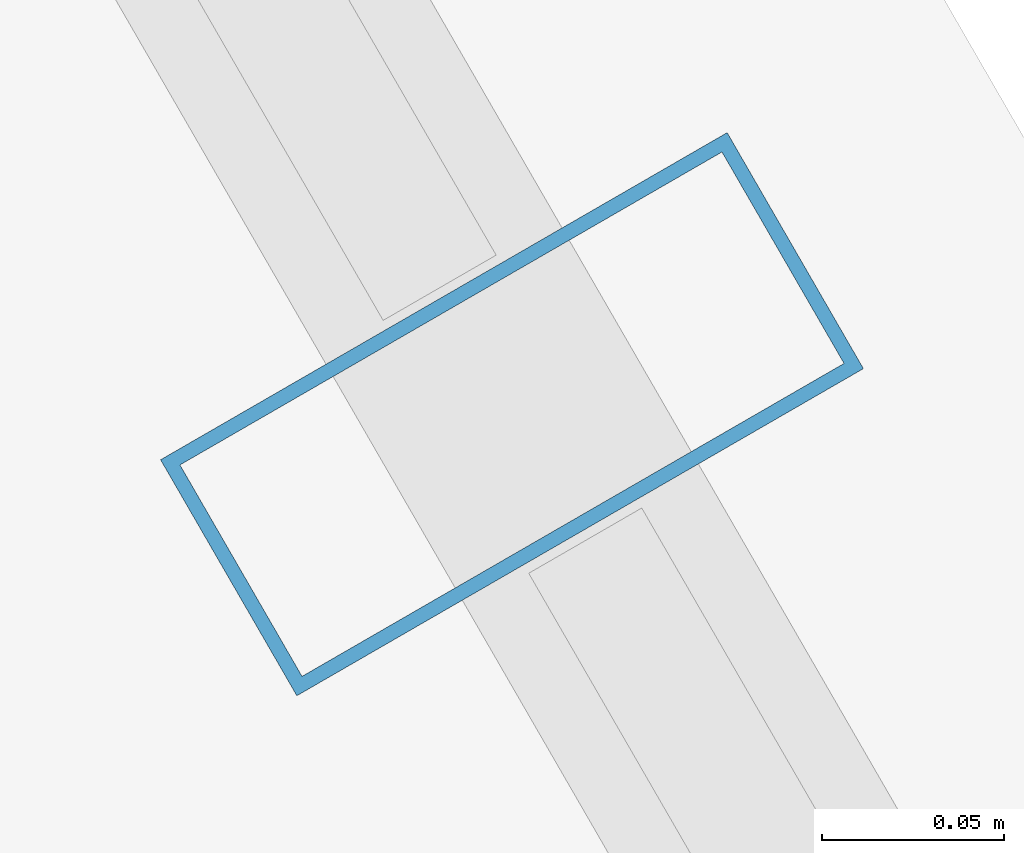
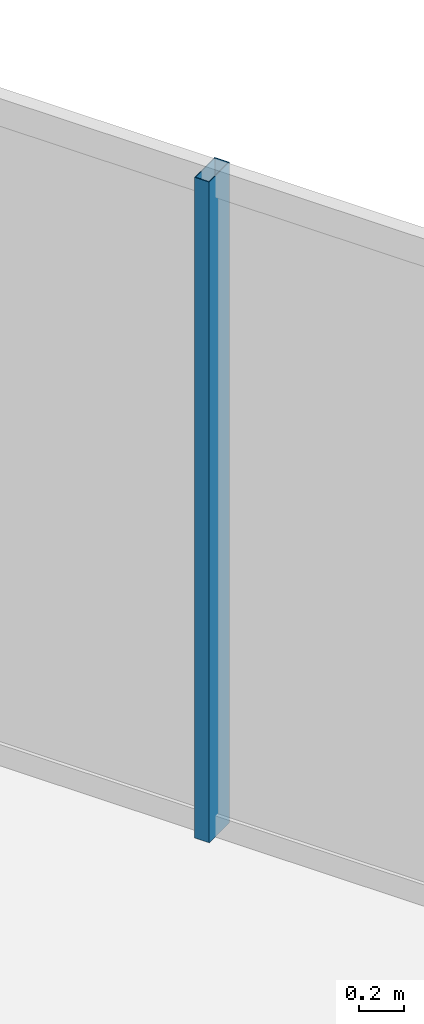
# One storey, part 20 of 34: 1 member, 1 element without a shape of its own.
"""IFC4 building model written with IfcOpenShell, lengths in metres."""

from ifc_helpers import new_model, si_unit, direction, frame, origin, origin_2d, place, context, subcontext, project, spatial, hollow_rectangle, extrude, material, layer, layer_set, material_profile, profile_set, type_object, element, aggregate, save


model = new_model("IFC4")

# Units and contexts
model_context = context("Model", 3, precision=1e-05, world=origin(), true_north=direction((0.0, 1.0)))
body_context = subcontext(model_context, "Body", "Model", "MODEL_VIEW")
ifc_project = project(units=[si_unit("LENGTHUNIT", "METRE"), si_unit("AREAUNIT", "SQUARE_METRE"), si_unit("VOLUMEUNIT", "CUBIC_METRE"), si_unit("PLANEANGLEUNIT", "RADIAN"), si_unit("MASSUNIT", "GRAM", prefix="KILO")], contexts=[model_context])

# Site, building, storey
site_placement = place(None, origin())
site = spatial("IfcSite", under=ifc_project, at=site_placement, CompositionType="ELEMENT")
building_placement = place(site_placement, origin())
building = spatial("IfcBuilding", under=site, at=building_placement, Name="Ndaravel Arena Tower", CompositionType="ELEMENT")
storey_placement = place(building_placement, frame((0.0, 0.0, 267.39990234375)))
storey = spatial("IfcBuildingStorey", under=building, at=storey_placement, Name="L65", CompositionType="ELEMENT", Elevation=267.39990234375)

# Curtain wall, member
ifc_material_1 = material(Name="Aluminium", Category="aluminium")
ifc_layer = layer(ifc_material_1, 0.179931640625)
ifc_layer_set = layer_set([ifc_layer], Name="Aluminium")
curtain_wall_type = type_object("IfcCurtainWallType", Name="CW-SYS-03", PredefinedType="NOTDEFINED", material=ifc_layer_set)
curtain_wall_placement = place(storey_placement, origin())
curtain_wall = element("IfcCurtainWall", 1, at=curtain_wall_placement, inside=storey, type_object=curtain_wall_type, Name="L65 Faceted Crystal Curtain Wall CW-L65-E03", PredefinedType="NOTDEFINED")
ifc_material_2 = material(Name="Aluminium", Category="aluminium")
ifc_material_profile = material_profile(ifc_material_2, hollow_rectangle(XDim=0.074951171875, YDim=0.179931640625, WallThickness=0.00390625, at=origin_2d()), Name="CW MULLION 75x180x4")
ifc_profile_set = profile_set([ifc_material_profile], Name="Aluminium")
member_type = type_object("IfcMemberType", Name="MEM-CW-MUL180", PredefinedType="MULLION", material=ifc_profile_set)
member_placement = place(storey_placement, frame((49.152587890625, 36.698486328125, 0.0), z_axis=(0.0, 0.0, 1.0), x_axis=(-0.5, 0.866025403784, 0.0)))
member = element("IfcMember", 2, at=member_placement, type_object=member_type, Name="CW-L65-E03 Mullion 07", PredefinedType="MULLION", context=body_context, shape_type="SweptSolid", body=[
    extrude(hollow_rectangle(XDim=0.074951171875, YDim=0.179931640625, WallThickness=0.00390625, at=origin_2d()), origin(), (0.0, 0.0, 1.0), 3.580078125),
])
aggregate(curtain_wall, [member])

save(model, "model.ifc")
